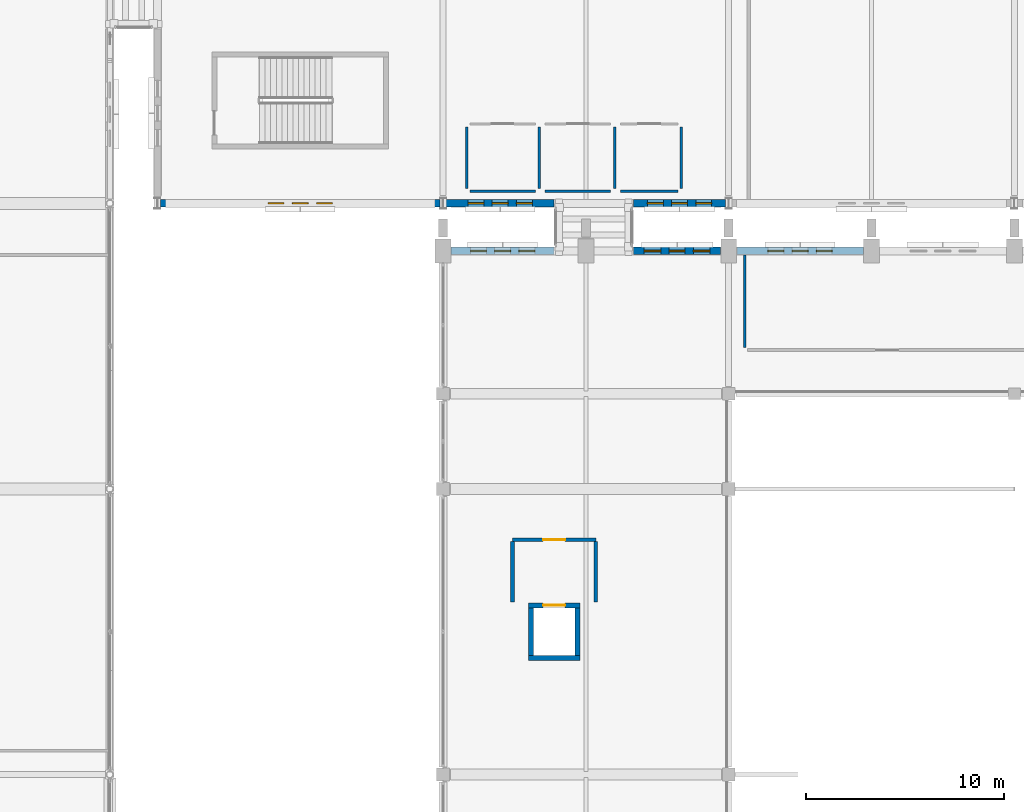
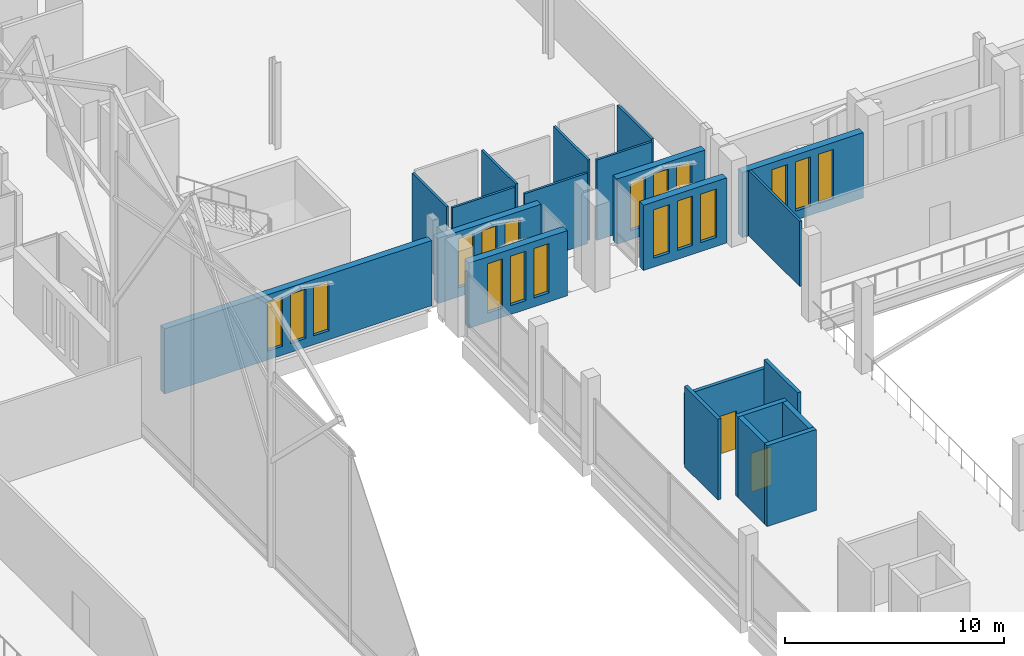
# One storey, part 165 of 220: 21 walls, 18 windows, 2 doors, 20 openings.
"""IFC4 building model written with IfcOpenShell, lengths in metres."""

from ifc_helpers import new_model, si_unit, direction, frame, frame_2d, origin, place, context, subcontext, project, spatial, rectangle, extrude, material, layer, layer_set, type_object, element, fill, save


model = new_model("IFC4")

# Units and contexts
model_context = context("Model", 3, precision=1e-05, world=origin(), true_north=direction((0.0, 1.0)))
body_context = subcontext(model_context, "Body", "Model", "MODEL_VIEW")
ifc_project = project(units=[si_unit("LENGTHUNIT", "METRE"), si_unit("AREAUNIT", "SQUARE_METRE"), si_unit("VOLUMEUNIT", "CUBIC_METRE"), si_unit("PLANEANGLEUNIT", "RADIAN"), si_unit("MASSUNIT", "GRAM", prefix="KILO")], contexts=[model_context])

# Site, building, storey
site_placement = place(None, origin())
site = spatial("IfcSite", under=ifc_project, at=site_placement, CompositionType="ELEMENT")
building_placement = place(site_placement, origin())
building = spatial("IfcBuilding", under=site, at=building_placement, Name="Cendralis Lancet Convention Centre", CompositionType="ELEMENT")
storey_placement = place(building_placement, frame((0.0, 0.0, 5.39990234375)))
storey = spatial("IfcBuildingStorey", under=building, at=storey_placement, Name="L01", CompositionType="ELEMENT", Elevation=5.39990234375)

# Wall, openings, windows
ifc_material_1 = material(Name="Buff sandstone ashlar and Concrete G40 (C40/50)", Category="masonry")
ifc_layer_1 = layer(ifc_material_1, 0.360107421875, Name="Buff sandstone ashlar and Concrete G40 (C40/50)")
ifc_layer_set_1 = layer_set([ifc_layer_1], Name="Buff sandstone ashlar and Concrete G40 (C40/50)")
wall_type_1 = type_object("IfcWallType", Name="ARC-EW-W360", PredefinedType="STANDARD", material=ifc_layer_set_1)
wall_1_placement = place(storey_placement, frame((139.0419921875, 93.60009765625, 0.0), z_axis=(0.0, 0.0, 1.0), x_axis=(-1.0, 0.0, 0.0)))
wall_1 = element("IfcWall", 1, at=wall_1_placement, inside=storey, type_object=wall_type_1, Name="L01 V3 Exterior Wall EW-04 #0149", PredefinedType="STANDARD", context=body_context, shape_type="SweptSolid", body=[
    extrude(rectangle(XDim=14.083984375, YDim=0.360107421875, at=frame_2d((7.0419921875, 0.0))), origin(), (0.0, 0.0, 1.0), 3.635009765625),
])
opening_1_placement = place(wall_1_placement, frame((5.422119140625, 0.0, 0.5)))
opening_1 = element("IfcOpeningElement", 2, at=opening_1_placement, cuts=wall_1, Name="Opening WN-07", PredefinedType="OPENING", context=body_context, shape_type="SweptSolid", body=[
    extrude(rectangle(XDim=0.800048828125, YDim=2.75, at=frame_2d((0.39990234375, 1.375))), frame((0.0, 0.18994140625, 0.0), z_axis=(0.0, -1.0, 0.0), x_axis=(1.0, 0.0, 0.0)), (0.0, 0.0, 1.0), 0.380126953125),
])
opening_2_placement = place(wall_1_placement, frame((6.64208984375, 0.0, 0.5)))
opening_2 = element("IfcOpeningElement", 3, at=opening_2_placement, cuts=wall_1, Name="Opening WN-07", PredefinedType="OPENING", context=body_context, shape_type="SweptSolid", body=[
    extrude(rectangle(XDim=0.800048828125, YDim=2.75, at=frame_2d((0.39990234375, 1.375))), frame((0.0, 0.18994140625, 0.0), z_axis=(0.0, -1.0, 0.0), x_axis=(1.0, 0.0, 0.0)), (0.0, 0.0, 1.0), 0.380126953125),
])
opening_3_placement = place(wall_1_placement, frame((7.862060546875, 0.0, 0.5)))
opening_3 = element("IfcOpeningElement", 4, at=opening_3_placement, cuts=wall_1, Name="Opening WN-07", PredefinedType="OPENING", context=body_context, shape_type="SweptSolid", body=[
    extrude(rectangle(XDim=0.800048828125, YDim=2.75, at=frame_2d((0.39990234375, 1.375))), frame((0.0, 0.18994140625, 0.0), z_axis=(0.0, -1.0, 0.0), x_axis=(1.0, 0.0, 0.0)), (0.0, 0.0, 1.0), 0.380126953125),
])
ifc_material_2 = material(Name="Double-glazed low-E solar-control glass", Category="glass")
window_type_1 = type_object("IfcWindowType", Name="ARC-WN-LW07", PartitioningType="SINGLE_PANEL", PredefinedType="WINDOW", material=ifc_material_2)
window_1_placement = place(opening_1_placement, origin())
window_1 = element("IfcWindow", 5, at=window_1_placement, inside=storey, type_object=window_type_1, Name="Gothic Lancet Window WN-07 #0284", OverallHeight=2.75, OverallWidth=0.800048828125, PartitioningType="SINGLE_PANEL", PredefinedType="WINDOW", context=body_context, shape_type="SweptSolid", body=[
    extrude(rectangle(XDim=0.800048828125, YDim=2.75, at=frame_2d((0.39990234375, 1.375))), frame((0.0, 0.030029296875, 0.0), z_axis=(0.0, -1.0, 0.0), x_axis=(1.0, 0.0, 0.0)), (0.0, 0.0, 1.0), 0.06005859375),
])
fill(opening_1, window_1)
window_2_placement = place(opening_2_placement, origin())
window_2 = element("IfcWindow", 6, at=window_2_placement, inside=storey, type_object=window_type_1, Name="Gothic Lancet Window WN-07 #0285", OverallHeight=2.75, OverallWidth=0.800048828125, PartitioningType="SINGLE_PANEL", PredefinedType="WINDOW", context=body_context, shape_type="SweptSolid", body=[
    extrude(rectangle(XDim=0.800048828125, YDim=2.75, at=frame_2d((0.39990234375, 1.375))), frame((0.0, 0.030029296875, 0.0), z_axis=(0.0, -1.0, 0.0), x_axis=(1.0, 0.0, 0.0)), (0.0, 0.0, 1.0), 0.06005859375),
])
fill(opening_2, window_2)
window_3_placement = place(opening_3_placement, origin())
window_3 = element("IfcWindow", 7, at=window_3_placement, inside=storey, type_object=window_type_1, Name="Gothic Lancet Window WN-07 #0286", OverallHeight=2.75, OverallWidth=0.800048828125, PartitioningType="SINGLE_PANEL", PredefinedType="WINDOW", context=body_context, shape_type="SweptSolid", body=[
    extrude(rectangle(XDim=0.800048828125, YDim=2.75, at=frame_2d((0.39990234375, 1.375))), frame((0.0, 0.030029296875, 0.0), z_axis=(0.0, -1.0, 0.0), x_axis=(1.0, 0.0, 0.0)), (0.0, 0.0, 1.0), 0.06005859375),
])
fill(opening_3, window_3)

wall_2_placement = place(storey_placement, frame((153.44189453125, 93.60009765625, 0.0), z_axis=(0.0, 0.0, 1.0), x_axis=(-1.0, 0.0, 0.0)))
wall_2 = element("IfcWall", 8, at=wall_2_placement, inside=storey, type_object=wall_type_1, Name="L01 V3 Exterior Wall EW-04 #0150", PredefinedType="STANDARD", context=body_context, shape_type="SweptSolid", body=[
    extrude(rectangle(XDim=4.641845703125, YDim=0.360107421875, at=frame_2d((2.32080078125, 0.0))), origin(), (0.0, 0.0, 1.0), 3.635009765625),
])
opening_4_placement = place(wall_2_placement, frame((0.700927734375, 0.0, 0.5)))
opening_4 = element("IfcOpeningElement", 9, at=opening_4_placement, cuts=wall_2, Name="Opening WN-07", PredefinedType="OPENING", context=body_context, shape_type="SweptSolid", body=[
    extrude(rectangle(XDim=0.800048828125, YDim=2.75, at=frame_2d((0.39990234375, 1.375))), frame((0.0, 0.18994140625, 0.0), z_axis=(0.0, -1.0, 0.0), x_axis=(1.0, 0.0, 0.0)), (0.0, 0.0, 1.0), 0.380126953125),
])
opening_5_placement = place(wall_2_placement, frame((1.9208984375, 0.0, 0.5)))
opening_5 = element("IfcOpeningElement", 10, at=opening_5_placement, cuts=wall_2, Name="Opening WN-07", PredefinedType="OPENING", context=body_context, shape_type="SweptSolid", body=[
    extrude(rectangle(XDim=0.800048828125, YDim=2.75, at=frame_2d((0.39990234375, 1.375))), frame((0.0, 0.18994140625, 0.0), z_axis=(0.0, -1.0, 0.0), x_axis=(1.0, 0.0, 0.0)), (0.0, 0.0, 1.0), 0.380126953125),
])
opening_6_placement = place(wall_2_placement, frame((3.14111328125, 0.0, 0.5)))
opening_6 = element("IfcOpeningElement", 11, at=opening_6_placement, cuts=wall_2, Name="Opening WN-07", PredefinedType="OPENING", context=body_context, shape_type="SweptSolid", body=[
    extrude(rectangle(XDim=0.800048828125, YDim=2.75, at=frame_2d((0.39990234375, 1.375))), frame((0.0, 0.18994140625, 0.0), z_axis=(0.0, -1.0, 0.0), x_axis=(1.0, 0.0, 0.0)), (0.0, 0.0, 1.0), 0.380126953125),
])
window_4_placement = place(opening_4_placement, origin())
window_4 = element("IfcWindow", 12, at=window_4_placement, inside=storey, type_object=window_type_1, Name="Gothic Lancet Window WN-07 #0287", OverallHeight=2.75, OverallWidth=0.800048828125, PartitioningType="SINGLE_PANEL", PredefinedType="WINDOW", context=body_context, shape_type="SweptSolid", body=[
    extrude(rectangle(XDim=0.800048828125, YDim=2.75, at=frame_2d((0.39990234375, 1.375))), frame((0.0, 0.030029296875, 0.0), z_axis=(0.0, -1.0, 0.0), x_axis=(1.0, 0.0, 0.0)), (0.0, 0.0, 1.0), 0.06005859375),
])
fill(opening_4, window_4)
window_5_placement = place(opening_5_placement, origin())
window_5 = element("IfcWindow", 13, at=window_5_placement, inside=storey, type_object=window_type_1, Name="Gothic Lancet Window WN-07 #0288", OverallHeight=2.75, OverallWidth=0.800048828125, PartitioningType="SINGLE_PANEL", PredefinedType="WINDOW", context=body_context, shape_type="SweptSolid", body=[
    extrude(rectangle(XDim=0.800048828125, YDim=2.75, at=frame_2d((0.39990234375, 1.375))), frame((0.0, 0.030029296875, 0.0), z_axis=(0.0, -1.0, 0.0), x_axis=(1.0, 0.0, 0.0)), (0.0, 0.0, 1.0), 0.06005859375),
])
fill(opening_5, window_5)
window_6_placement = place(opening_6_placement, origin())
window_6 = element("IfcWindow", 14, at=window_6_placement, inside=storey, type_object=window_type_1, Name="Gothic Lancet Window WN-07 #0289", OverallHeight=2.75, OverallWidth=0.800048828125, PartitioningType="SINGLE_PANEL", PredefinedType="WINDOW", context=body_context, shape_type="SweptSolid", body=[
    extrude(rectangle(XDim=0.800048828125, YDim=2.75, at=frame_2d((0.39990234375, 1.375))), frame((0.0, 0.030029296875, 0.0), z_axis=(0.0, -1.0, 0.0), x_axis=(1.0, 0.0, 0.0)), (0.0, 0.0, 1.0), 0.06005859375),
])
fill(opening_6, window_6)

wall_3_placement = place(storey_placement, frame((144.800048828125, 93.60009765625, 0.0), z_axis=(0.0, 0.0, 1.0), x_axis=(-1.0, 0.0, 0.0)))
wall_3 = element("IfcWall", 15, at=wall_3_placement, inside=storey, type_object=wall_type_1, Name="L01 V3 Exterior Wall EW-04 #0151", PredefinedType="STANDARD", context=body_context, shape_type="SweptSolid", body=[
    extrude(rectangle(XDim=5.442138671875, YDim=0.360107421875, at=frame_2d((2.72119140625, 0.0))), origin(), (0.0, 0.0, 1.0), 3.635009765625),
])
opening_7_placement = place(wall_3_placement, frame((1.10107421875, 0.0, 0.5)))
opening_7 = element("IfcOpeningElement", 16, at=opening_7_placement, cuts=wall_3, Name="Opening WN-07", PredefinedType="OPENING", context=body_context, shape_type="SweptSolid", body=[
    extrude(rectangle(XDim=0.800048828125, YDim=2.75, at=frame_2d((0.39990234375, 1.375))), frame((0.0, 0.18994140625, 0.0), z_axis=(0.0, -1.0, 0.0), x_axis=(1.0, 0.0, 0.0)), (0.0, 0.0, 1.0), 0.380126953125),
])
opening_8_placement = place(wall_3_placement, frame((2.321044921875, 0.0, 0.5)))
opening_8 = element("IfcOpeningElement", 17, at=opening_8_placement, cuts=wall_3, Name="Opening WN-07", PredefinedType="OPENING", context=body_context, shape_type="SweptSolid", body=[
    extrude(rectangle(XDim=0.800048828125, YDim=2.75, at=frame_2d((0.39990234375, 1.375))), frame((0.0, 0.18994140625, 0.0), z_axis=(0.0, -1.0, 0.0), x_axis=(1.0, 0.0, 0.0)), (0.0, 0.0, 1.0), 0.380126953125),
])
opening_9_placement = place(wall_3_placement, frame((3.541015625, 0.0, 0.5)))
opening_9 = element("IfcOpeningElement", 18, at=opening_9_placement, cuts=wall_3, Name="Opening WN-07", PredefinedType="OPENING", context=body_context, shape_type="SweptSolid", body=[
    extrude(rectangle(XDim=0.800048828125, YDim=2.75, at=frame_2d((0.39990234375, 1.375))), frame((0.0, 0.18994140625, 0.0), z_axis=(0.0, -1.0, 0.0), x_axis=(1.0, 0.0, 0.0)), (0.0, 0.0, 1.0), 0.380126953125),
])
window_7_placement = place(opening_7_placement, origin())
window_7 = element("IfcWindow", 19, at=window_7_placement, inside=storey, type_object=window_type_1, Name="Gothic Lancet Window WN-07 #0290", OverallHeight=2.75, OverallWidth=0.800048828125, PartitioningType="SINGLE_PANEL", PredefinedType="WINDOW", context=body_context, shape_type="SweptSolid", body=[
    extrude(rectangle(XDim=0.800048828125, YDim=2.75, at=frame_2d((0.39990234375, 1.375))), frame((0.0, 0.030029296875, 0.0), z_axis=(0.0, -1.0, 0.0), x_axis=(1.0, 0.0, 0.0)), (0.0, 0.0, 1.0), 0.06005859375),
])
fill(opening_7, window_7)
window_8_placement = place(opening_8_placement, origin())
window_8 = element("IfcWindow", 20, at=window_8_placement, inside=storey, type_object=window_type_1, Name="Gothic Lancet Window WN-07 #0291", OverallHeight=2.75, OverallWidth=0.800048828125, PartitioningType="SINGLE_PANEL", PredefinedType="WINDOW", context=body_context, shape_type="SweptSolid", body=[
    extrude(rectangle(XDim=0.800048828125, YDim=2.75, at=frame_2d((0.39990234375, 1.375))), frame((0.0, 0.030029296875, 0.0), z_axis=(0.0, -1.0, 0.0), x_axis=(1.0, 0.0, 0.0)), (0.0, 0.0, 1.0), 0.06005859375),
])
fill(opening_8, window_8)
window_9_placement = place(opening_9_placement, origin())
window_9 = element("IfcWindow", 21, at=window_9_placement, inside=storey, type_object=window_type_1, Name="Gothic Lancet Window WN-07 #0292", OverallHeight=2.75, OverallWidth=0.800048828125, PartitioningType="SINGLE_PANEL", PredefinedType="WINDOW", context=body_context, shape_type="SweptSolid", body=[
    extrude(rectangle(XDim=0.800048828125, YDim=2.75, at=frame_2d((0.39990234375, 1.375))), frame((0.0, 0.030029296875, 0.0), z_axis=(0.0, -1.0, 0.0), x_axis=(1.0, 0.0, 0.0)), (0.0, 0.0, 1.0), 0.06005859375),
])
fill(opening_9, window_9)

ifc_layer_2 = layer(ifc_material_1, 0.3798828125, Name="Buff sandstone ashlar and Concrete G40 (C40/50)")
ifc_layer_set_2 = layer_set([ifc_layer_2], Name="Buff sandstone ashlar and Concrete G40 (C40/50)")
wall_type_2 = type_object("IfcWallType", Name="ARC-EW-W380", PredefinedType="STANDARD", material=ifc_layer_set_2)
wall_4_placement = place(storey_placement, frame((139.60791015625, 91.199951171875, 0.0), z_axis=(0.0, 0.0, 1.0), x_axis=(1.0, 0.0, 0.0)))
wall_4 = element("IfcWall", 22, at=wall_4_placement, inside=storey, type_object=wall_type_2, Name="L01 V2 Exterior Wall EW-03 #0099", PredefinedType="STANDARD", context=body_context, shape_type="SweptSolid", body=[
    extrude(rectangle(XDim=5.192138671875, YDim=0.3798828125, at=frame_2d((2.59619140625, 0.0))), origin(), (0.0, 0.0, 1.0), 3.635009765625),
])
opening_10_placement = place(wall_4_placement, frame((0.97607421875, 0.0, 0.5)))
opening_10 = element("IfcOpeningElement", 23, at=opening_10_placement, cuts=wall_4, Name="Opening WN-07", PredefinedType="OPENING", context=body_context, shape_type="SweptSolid", body=[
    extrude(rectangle(XDim=0.800048828125, YDim=2.75, at=frame_2d((0.39990234375, 1.375))), frame((0.0, 0.199951171875, 0.0), z_axis=(0.0, -1.0, 0.0), x_axis=(1.0, 0.0, 0.0)), (0.0, 0.0, 1.0), 0.39990234375),
])
opening_11_placement = place(wall_4_placement, frame((2.196044921875, 0.0, 0.5)))
opening_11 = element("IfcOpeningElement", 24, at=opening_11_placement, cuts=wall_4, Name="Opening WN-07", PredefinedType="OPENING", context=body_context, shape_type="SweptSolid", body=[
    extrude(rectangle(XDim=0.800048828125, YDim=2.75, at=frame_2d((0.39990234375, 1.375))), frame((0.0, 0.199951171875, 0.0), z_axis=(0.0, -1.0, 0.0), x_axis=(1.0, 0.0, 0.0)), (0.0, 0.0, 1.0), 0.39990234375),
])
opening_12_placement = place(wall_4_placement, frame((3.416015625, 0.0, 0.5)))
opening_12 = element("IfcOpeningElement", 25, at=opening_12_placement, cuts=wall_4, Name="Opening WN-07", PredefinedType="OPENING", context=body_context, shape_type="SweptSolid", body=[
    extrude(rectangle(XDim=0.800048828125, YDim=2.75, at=frame_2d((0.39990234375, 1.375))), frame((0.0, 0.199951171875, 0.0), z_axis=(0.0, -1.0, 0.0), x_axis=(1.0, 0.0, 0.0)), (0.0, 0.0, 1.0), 0.39990234375),
])
window_10_placement = place(opening_10_placement, origin())
window_10 = element("IfcWindow", 26, at=window_10_placement, inside=storey, type_object=window_type_1, Name="Gothic Lancet Window WN-07 #0174", OverallHeight=2.75, OverallWidth=0.800048828125, PartitioningType="SINGLE_PANEL", PredefinedType="WINDOW", context=body_context, shape_type="SweptSolid", body=[
    extrude(rectangle(XDim=0.800048828125, YDim=2.75, at=frame_2d((0.39990234375, 1.375))), frame((0.0, 0.030029296875, 0.0), z_axis=(0.0, -1.0, 0.0), x_axis=(1.0, 0.0, 0.0)), (0.0, 0.0, 1.0), 0.06005859375),
])
fill(opening_10, window_10)
window_11_placement = place(opening_11_placement, origin())
window_11 = element("IfcWindow", 27, at=window_11_placement, inside=storey, type_object=window_type_1, Name="Gothic Lancet Window WN-07 #0175", OverallHeight=2.75, OverallWidth=0.800048828125, PartitioningType="SINGLE_PANEL", PredefinedType="WINDOW", context=body_context, shape_type="SweptSolid", body=[
    extrude(rectangle(XDim=0.800048828125, YDim=2.75, at=frame_2d((0.39990234375, 1.375))), frame((0.0, 0.030029296875, 0.0), z_axis=(0.0, -1.0, 0.0), x_axis=(1.0, 0.0, 0.0)), (0.0, 0.0, 1.0), 0.06005859375),
])
fill(opening_11, window_11)
window_12_placement = place(opening_12_placement, origin())
window_12 = element("IfcWindow", 28, at=window_12_placement, inside=storey, type_object=window_type_1, Name="Gothic Lancet Window WN-07 #0176", OverallHeight=2.75, OverallWidth=0.800048828125, PartitioningType="SINGLE_PANEL", PredefinedType="WINDOW", context=body_context, shape_type="SweptSolid", body=[
    extrude(rectangle(XDim=0.800048828125, YDim=2.75, at=frame_2d((0.39990234375, 1.375))), frame((0.0, 0.030029296875, 0.0), z_axis=(0.0, -1.0, 0.0), x_axis=(1.0, 0.0, 0.0)), (0.0, 0.0, 1.0), 0.06005859375),
])
fill(opening_12, window_12)

wall_5_placement = place(storey_placement, frame((148.800048828125, 91.199951171875, 0.0), z_axis=(0.0, 0.0, 1.0), x_axis=(1.0, 0.0, 0.0)))
wall_5 = element("IfcWall", 29, at=wall_5_placement, inside=storey, type_object=wall_type_2, Name="L01 V2 Exterior Wall EW-03 #0100", PredefinedType="STANDARD", context=body_context, shape_type="SweptSolid", body=[
    extrude(rectangle(XDim=4.391845703125, YDim=0.3798828125, at=frame_2d((2.19580078125, 0.0))), origin(), (0.0, 0.0, 1.0), 3.635009765625),
])
opening_13_placement = place(wall_5_placement, frame((0.535888671875, 0.0, 0.5)))
opening_13 = element("IfcOpeningElement", 30, at=opening_13_placement, cuts=wall_5, Name="Opening WN-15", PredefinedType="OPENING", context=body_context, shape_type="SweptSolid", body=[
    extrude(rectangle(XDim=0.840087890625, YDim=2.699951171875, at=frame_2d((0.419921875, 1.35009765625))), frame((0.0, 0.199951171875, 0.0), z_axis=(0.0, -1.0, 0.0), x_axis=(1.0, 0.0, 0.0)), (0.0, 0.0, 1.0), 0.39990234375),
])
opening_14_placement = place(wall_5_placement, frame((1.7958984375, 0.0, 0.5)))
opening_14 = element("IfcOpeningElement", 31, at=opening_14_placement, cuts=wall_5, Name="Opening WN-07", PredefinedType="OPENING", context=body_context, shape_type="SweptSolid", body=[
    extrude(rectangle(XDim=0.800048828125, YDim=2.75, at=frame_2d((0.39990234375, 1.375))), frame((0.0, 0.199951171875, 0.0), z_axis=(0.0, -1.0, 0.0), x_axis=(1.0, 0.0, 0.0)), (0.0, 0.0, 1.0), 0.39990234375),
])
opening_15_placement = place(wall_5_placement, frame((3.01611328125, 0.0, 0.5)))
opening_15 = element("IfcOpeningElement", 32, at=opening_15_placement, cuts=wall_5, Name="Opening WN-15", PredefinedType="OPENING", context=body_context, shape_type="SweptSolid", body=[
    extrude(rectangle(XDim=0.840087890625, YDim=2.699951171875, at=frame_2d((0.419921875, 1.35009765625))), frame((0.0, 0.199951171875, 0.0), z_axis=(0.0, -1.0, 0.0), x_axis=(1.0, 0.0, 0.0)), (0.0, 0.0, 1.0), 0.39990234375),
])
window_13_placement = place(opening_14_placement, origin())
window_13 = element("IfcWindow", 33, at=window_13_placement, inside=storey, type_object=window_type_1, Name="Gothic Lancet Window WN-07 #0178", OverallHeight=2.75, OverallWidth=0.800048828125, PartitioningType="SINGLE_PANEL", PredefinedType="WINDOW", context=body_context, shape_type="SweptSolid", body=[
    extrude(rectangle(XDim=0.800048828125, YDim=2.75, at=frame_2d((0.39990234375, 1.375))), frame((0.0, 0.030029296875, 0.0), z_axis=(0.0, -1.0, 0.0), x_axis=(1.0, 0.0, 0.0)), (0.0, 0.0, 1.0), 0.06005859375),
])
fill(opening_14, window_13)
window_type_2 = type_object("IfcWindowType", Name="ARC-WN-LW15", PartitioningType="SINGLE_PANEL", PredefinedType="WINDOW", material=ifc_material_2)
window_14_placement = place(opening_13_placement, origin())
window_14 = element("IfcWindow", 34, at=window_14_placement, inside=storey, type_object=window_type_2, Name="Gothic Lancet Window WN-15 #0177", OverallHeight=2.699951171875, OverallWidth=0.840087890625, PartitioningType="SINGLE_PANEL", PredefinedType="WINDOW", context=body_context, shape_type="SweptSolid", body=[
    extrude(rectangle(XDim=0.840087890625, YDim=2.699951171875, at=frame_2d((0.419921875, 1.35009765625))), frame((0.0, 0.030029296875, 0.0), z_axis=(0.0, -1.0, 0.0), x_axis=(1.0, 0.0, 0.0)), (0.0, 0.0, 1.0), 0.06005859375),
])
fill(opening_13, window_14)
window_15_placement = place(opening_15_placement, origin())
window_15 = element("IfcWindow", 35, at=window_15_placement, inside=storey, type_object=window_type_2, Name="Gothic Lancet Window WN-15 #0179", OverallHeight=2.699951171875, OverallWidth=0.840087890625, PartitioningType="SINGLE_PANEL", PredefinedType="WINDOW", context=body_context, shape_type="SweptSolid", body=[
    extrude(rectangle(XDim=0.840087890625, YDim=2.699951171875, at=frame_2d((0.419921875, 1.35009765625))), frame((0.0, 0.030029296875, 0.0), z_axis=(0.0, -1.0, 0.0), x_axis=(1.0, 0.0, 0.0)), (0.0, 0.0, 1.0), 0.06005859375),
])
fill(opening_15, window_15)

wall_6_placement = place(storey_placement, frame((154.008056640625, 91.199951171875, 0.0), z_axis=(0.0, 0.0, 1.0), x_axis=(1.0, 0.0, 0.0)))
wall_6 = element("IfcWall", 36, at=wall_6_placement, inside=storey, type_object=wall_type_2, Name="L01 V2 Exterior Wall EW-03 #0101", PredefinedType="STANDARD", context=body_context, shape_type="SweptSolid", body=[
    extrude(rectangle(XDim=6.384033203125, YDim=0.3798828125, at=frame_2d((3.19189453125, 0.0))), origin(), (0.0, 0.0, 1.0), 3.635009765625),
])
opening_16_placement = place(wall_6_placement, frame((1.572021484375, 0.0, 0.5)))
opening_16 = element("IfcOpeningElement", 37, at=opening_16_placement, cuts=wall_6, Name="Opening WN-07", PredefinedType="OPENING", context=body_context, shape_type="SweptSolid", body=[
    extrude(rectangle(XDim=0.800048828125, YDim=2.75, at=frame_2d((0.39990234375, 1.375))), frame((0.0, 0.199951171875, 0.0), z_axis=(0.0, -1.0, 0.0), x_axis=(1.0, 0.0, 0.0)), (0.0, 0.0, 1.0), 0.39990234375),
])
opening_17_placement = place(wall_6_placement, frame((2.7919921875, 0.0, 0.5)))
opening_17 = element("IfcOpeningElement", 38, at=opening_17_placement, cuts=wall_6, Name="Opening WN-07", PredefinedType="OPENING", context=body_context, shape_type="SweptSolid", body=[
    extrude(rectangle(XDim=0.800048828125, YDim=2.75, at=frame_2d((0.39990234375, 1.375))), frame((0.0, 0.199951171875, 0.0), z_axis=(0.0, -1.0, 0.0), x_axis=(1.0, 0.0, 0.0)), (0.0, 0.0, 1.0), 0.39990234375),
])
opening_18_placement = place(wall_6_placement, frame((4.011962890625, 0.0, 0.5)))
opening_18 = element("IfcOpeningElement", 39, at=opening_18_placement, cuts=wall_6, Name="Opening WN-07", PredefinedType="OPENING", context=body_context, shape_type="SweptSolid", body=[
    extrude(rectangle(XDim=0.800048828125, YDim=2.75, at=frame_2d((0.39990234375, 1.375))), frame((0.0, 0.199951171875, 0.0), z_axis=(0.0, -1.0, 0.0), x_axis=(1.0, 0.0, 0.0)), (0.0, 0.0, 1.0), 0.39990234375),
])
window_16_placement = place(opening_16_placement, origin())
window_16 = element("IfcWindow", 40, at=window_16_placement, inside=storey, type_object=window_type_1, Name="Gothic Lancet Window WN-07 #0180", OverallHeight=2.75, OverallWidth=0.800048828125, PartitioningType="SINGLE_PANEL", PredefinedType="WINDOW", context=body_context, shape_type="SweptSolid", body=[
    extrude(rectangle(XDim=0.800048828125, YDim=2.75, at=frame_2d((0.39990234375, 1.375))), frame((0.0, 0.030029296875, 0.0), z_axis=(0.0, -1.0, 0.0), x_axis=(1.0, 0.0, 0.0)), (0.0, 0.0, 1.0), 0.06005859375),
])
fill(opening_16, window_16)
window_17_placement = place(opening_17_placement, origin())
window_17 = element("IfcWindow", 41, at=window_17_placement, inside=storey, type_object=window_type_1, Name="Gothic Lancet Window WN-07 #0181", OverallHeight=2.75, OverallWidth=0.800048828125, PartitioningType="SINGLE_PANEL", PredefinedType="WINDOW", context=body_context, shape_type="SweptSolid", body=[
    extrude(rectangle(XDim=0.800048828125, YDim=2.75, at=frame_2d((0.39990234375, 1.375))), frame((0.0, 0.030029296875, 0.0), z_axis=(0.0, -1.0, 0.0), x_axis=(1.0, 0.0, 0.0)), (0.0, 0.0, 1.0), 0.06005859375),
])
fill(opening_17, window_17)
window_18_placement = place(opening_18_placement, origin())
window_18 = element("IfcWindow", 42, at=window_18_placement, inside=storey, type_object=window_type_1, Name="Gothic Lancet Window WN-07 #0182", OverallHeight=2.75, OverallWidth=0.800048828125, PartitioningType="SINGLE_PANEL", PredefinedType="WINDOW", context=body_context, shape_type="SweptSolid", body=[
    extrude(rectangle(XDim=0.800048828125, YDim=2.75, at=frame_2d((0.39990234375, 1.375))), frame((0.0, 0.030029296875, 0.0), z_axis=(0.0, -1.0, 0.0), x_axis=(1.0, 0.0, 0.0)), (0.0, 0.0, 1.0), 0.06005859375),
])
fill(opening_18, window_18)

# Walls
ifc_material_3 = material(Name="Acoustic fire-rated gypsum board on steel studs", Category="steel")
ifc_layer_3 = layer(ifc_material_3, 0.1201171875, Name="Acoustic fire-rated gypsum board on steel studs")
ifc_layer_set_3 = layer_set([ifc_layer_3], Name="Acoustic fire-rated gypsum board on steel studs")
wall_type_3 = type_object("IfcWallType", Name="ARC-IW-P120", PredefinedType="PARTITIONING", material=ifc_layer_set_3)
wall_7_placement = place(storey_placement, frame((154.39990234375, 86.340087890625, 0.0), z_axis=(0.0, 0.0, 1.0), x_axis=(0.0, 1.0, 0.0)))
element("IfcWall", 43, at=wall_7_placement, inside=storey, type_object=wall_type_3, Name="L01 Interior Partition IW-05 #0083", PredefinedType="PARTITIONING", context=body_context, shape_type="SweptSolid", body=[
    extrude(rectangle(XDim=4.659912109375, YDim=0.1201171875, at=frame_2d((2.330078125, 0.0))), origin(), (0.0, 0.0, 1.0), 3.635009765625),
])
wall_8_placement = place(storey_placement, frame((140.550048828125, 94.199951171875, 0.0), z_axis=(0.0, 0.0, 1.0), x_axis=(1.0, 0.0, 0.0)))
element("IfcWall", 44, at=wall_8_placement, inside=storey, type_object=wall_type_3, Name="L01 Interior Partition IW-05 #0169", PredefinedType="PARTITIONING", context=body_context, shape_type="SweptSolid", body=[
    extrude(rectangle(XDim=3.300048828125, YDim=0.1201171875, at=frame_2d((1.64990234375, 0.0))), origin(), (0.0, 0.0, 1.0), 4.485107421875),
])
for number, where, z_axis, x_axis, name in (
    (45, (140.39990234375, 94.340087890625, 0.0), (0.0, 0.0, 1.0), (0.0, 1.0, 0.0), "L01 Interior Partition IW-05 #0170"),
    (46, (144.050048828125, 94.340087890625, 0.0), (0.0, 0.0, 1.0), (0.0, 1.0, 0.0), "L01 Interior Partition IW-05 #0171"),
):
    element("IfcWall", number, at=place(storey_placement, frame(where, z_axis=z_axis, x_axis=x_axis)), inside=storey, type_object=wall_type_3, Name=name, PredefinedType="PARTITIONING", context=body_context, shape_type="SweptSolid", body=[
        extrude(rectangle(XDim=3.119873046875, YDim=0.1201171875, at=frame_2d((1.56005859375, 0.0))), origin(), (0.0, 0.0, 1.0), 4.485107421875),
    ])
wall_9_placement = place(storey_placement, frame((144.35009765625, 94.199951171875, 0.0), z_axis=(0.0, 0.0, 1.0), x_axis=(1.0, 0.0, 0.0)))
element("IfcWall", 47, at=wall_9_placement, inside=storey, type_object=wall_type_3, Name="L01 Interior Partition IW-05 #0173", PredefinedType="PARTITIONING", context=body_context, shape_type="SweptSolid", body=[
    extrude(rectangle(XDim=3.2998046875, YDim=0.1201171875, at=frame_2d((1.64990234375, 0.0))), origin(), (0.0, 0.0, 1.0), 3.93505859375),
])
wall_10_placement = place(storey_placement, frame((147.85009765625, 94.340087890625, 0.0), z_axis=(0.0, 0.0, 1.0), x_axis=(0.0, 1.0, 0.0)))
element("IfcWall", 48, at=wall_10_placement, inside=storey, type_object=wall_type_3, Name="L01 Interior Partition IW-05 #0174", PredefinedType="PARTITIONING", context=body_context, shape_type="SweptSolid", body=[
    extrude(rectangle(XDim=3.119873046875, YDim=0.1201171875, at=frame_2d((1.56005859375, 0.0))), origin(), (0.0, 0.0, 1.0), 4.485107421875),
])
wall_11_placement = place(storey_placement, frame((148.14990234375, 94.199951171875, 0.0), z_axis=(0.0, 0.0, 1.0), x_axis=(1.0, 0.0, 0.0)))
element("IfcWall", 49, at=wall_11_placement, inside=storey, type_object=wall_type_3, Name="L01 Interior Partition IW-05 #0176", PredefinedType="PARTITIONING", context=body_context, shape_type="SweptSolid", body=[
    extrude(rectangle(XDim=2.900146484375, YDim=0.1201171875, at=frame_2d((1.4501953125, 0.0))), origin(), (0.0, 0.0, 1.0), 4.485107421875),
])
wall_12_placement = place(storey_placement, frame((151.199951171875, 94.340087890625, 0.0), z_axis=(0.0, 0.0, 1.0), x_axis=(0.0, 1.0, 0.0)))
element("IfcWall", 50, at=wall_12_placement, inside=storey, type_object=wall_type_3, Name="L01 Interior Partition IW-05 #0177", PredefinedType="PARTITIONING", context=body_context, shape_type="SweptSolid", body=[
    extrude(rectangle(XDim=3.119873046875, YDim=0.1201171875, at=frame_2d((1.56005859375, 0.0))), origin(), (0.0, 0.0, 1.0), 4.485107421875),
])

# Wall, opening, door
ifc_layer_4 = layer(ifc_material_3, 0.179931640625, Name="Acoustic fire-rated gypsum board on steel studs")
ifc_layer_set_4 = layer_set([ifc_layer_4], Name="Acoustic fire-rated gypsum board on steel studs")
wall_type_4 = type_object("IfcWallType", Name="ARC-IW-P180", PredefinedType="PARTITIONING", material=ifc_layer_set_4)
wall_13_placement = place(storey_placement, frame((142.699951171875, 76.64990234375, 0.0), z_axis=(0.0, 0.0, 1.0), x_axis=(1.0, 0.0, 0.0)))
wall_13 = element("IfcWall", 51, at=wall_13_placement, inside=storey, type_object=wall_type_4, Name="L01 Lift Lobby LP-06 Front Wall", PredefinedType="PARTITIONING", context=body_context, shape_type="SweptSolid", body=[
    extrude(rectangle(XDim=4.199951171875, YDim=0.179931640625, at=frame_2d((2.10009765625, 0.0))), origin(), (0.0, 0.0, 1.0), 3.985107421875),
])
opening_19_placement = place(wall_13_placement, frame((1.550048828125, 0.0, 0.0)))
opening_19 = element("IfcOpeningElement", 52, at=opening_19_placement, cuts=wall_13, Name="Opening FD-11", PredefinedType="OPENING", context=body_context, shape_type="SweptSolid", body=[
    extrude(rectangle(XDim=1.10009765625, YDim=2.14990234375, at=frame_2d((0.550048828125, 1.074951171875))), frame((0.0, 0.099853515625, 0.0), z_axis=(0.0, -1.0, 0.0), x_axis=(1.0, 0.0, 0.0)), (0.0, 0.0, 1.0), 0.199951171875),
])
ifc_material_4 = material(Name="Steel S355", Category="steel")
door_type_1 = type_object("IfcDoorType", Name="ARC-DR-FF11", OperationType="NOTDEFINED", PredefinedType="DOOR", material=ifc_material_4)
door_1_placement = place(opening_19_placement, origin())
door_1 = element("IfcDoor", 53, at=door_1_placement, inside=storey, type_object=door_type_1, Name="L01-D065 L01 Lift Lobby LP-06 Fire Door", OperationType="SINGLE_SWING_LEFT", OverallHeight=2.14990234375, OverallWidth=1.10009765625, PredefinedType="DOOR", context=body_context, shape_type="SweptSolid", body=[
    extrude(rectangle(XDim=1.10009765625, YDim=2.14990234375, at=frame_2d((0.550048828125, 1.074951171875))), frame((0.0, 0.02490234375, 0.0), z_axis=(0.0, -1.0, 0.0), x_axis=(1.0, 0.0, 0.0)), (0.0, 0.0, 1.0), 0.050048828125),
])
fill(opening_19, door_1)

# Walls
for number, where, z_axis, x_axis, name in (
    (54, (142.699951171875, 73.5, 0.0), (0.0, 0.0, 1.0), (0.0, 1.0, 0.0), "L01 Lift Lobby LP-06 West Wall"),
    (55, (146.89990234375, 73.5, 0.0), (0.0, 0.0, 1.0), (0.0, 1.0, 0.0), "L01 Lift Lobby LP-06 East Wall"),
):
    element("IfcWall", number, at=place(storey_placement, frame(where, z_axis=z_axis, x_axis=x_axis)), inside=storey, type_object=wall_type_4, Name=name, PredefinedType="PARTITIONING", context=body_context, shape_type="SweptSolid", body=[
        extrude(rectangle(XDim=3.050048828125, YDim=0.179931640625, at=frame_2d((1.52490234375, 0.0))), origin(), (0.0, 0.0, 1.0), 4.5),
    ])
ifc_material_5 = material(Name="Concrete G40 (C40/50)", Category="concrete")
ifc_layer_5 = layer(ifc_material_5, 0.25, Name="Concrete G40 (C40/50)")
ifc_layer_set_5 = layer_set([ifc_layer_5], Name="Concrete G40 (C40/50)")
wall_type_5 = type_object("IfcWallType", Name="STR-SW-CW250", PredefinedType="SHEAR", material=ifc_layer_set_5)
wall_14_placement = place(storey_placement, frame((143.5, 70.675048828125, 0.0), z_axis=(0.0, 0.0, 1.0), x_axis=(1.0, 0.0, 0.0)))
element("IfcWall", 56, at=wall_14_placement, inside=storey, type_object=wall_type_5, Name="L01 Lift LP-06 South Shaft Wall", PredefinedType="SHEAR", context=body_context, shape_type="SweptSolid", body=[
    extrude(rectangle(XDim=2.60009765625, YDim=0.25, at=frame_2d((1.300048828125, 0.0))), origin(), (0.0, 0.0, 1.0), 4.5),
])

# Wall, opening, door
wall_15_placement = place(storey_placement, frame((143.5, 73.324951171875, 0.0), z_axis=(0.0, 0.0, 1.0), x_axis=(1.0, 0.0, 0.0)))
wall_15 = element("IfcWall", 57, at=wall_15_placement, inside=storey, type_object=wall_type_5, Name="L01 Lift LP-06 North Shaft Wall", PredefinedType="SHEAR", context=body_context, shape_type="SweptSolid", body=[
    extrude(rectangle(XDim=2.60009765625, YDim=0.25, at=frame_2d((1.300048828125, 0.0))), origin(), (0.0, 0.0, 1.0), 4.5),
])
opening_20_placement = place(wall_15_placement, frame((0.75, 0.0, 0.0)))
opening_20 = element("IfcOpeningElement", 58, at=opening_20_placement, cuts=wall_15, Name="Opening LD-11", PredefinedType="OPENING", context=body_context, shape_type="SweptSolid", body=[
    extrude(rectangle(XDim=1.10009765625, YDim=2.14990234375, at=frame_2d((0.550048828125, 1.074951171875))), frame((0.0, 0.135009765625, 0.0), z_axis=(0.0, -1.0, 0.0), x_axis=(1.0, 0.0, 0.0)), (0.0, 0.0, 1.0), 0.27001953125),
])
ifc_material_6 = material(Name="Anodised bronze architectural aluminium", Category="aluminium")
door_type_2 = type_object("IfcDoorType", Name="ARC-DR-LD11", OperationType="NOTDEFINED", PredefinedType="DOOR", material=ifc_material_6)
door_2_placement = place(opening_20_placement, origin())
door_2 = element("IfcDoor", 59, at=door_2_placement, inside=storey, type_object=door_type_2, Name="L01-D051 L01 Lift LP-06 Sliding Landing Door", OperationType="SLIDING_TO_RIGHT", OverallHeight=2.14990234375, OverallWidth=1.10009765625, PredefinedType="DOOR", context=body_context, shape_type="SweptSolid", body=[
    extrude(rectangle(XDim=1.10009765625, YDim=2.14990234375, at=frame_2d((0.550048828125, 1.074951171875))), frame((0.0, 0.02490234375, 0.0), z_axis=(0.0, -1.0, 0.0), x_axis=(1.0, 0.0, 0.0)), (0.0, 0.0, 1.0), 0.050048828125),
])
fill(opening_20, door_2)

# Walls
for number, where, z_axis, x_axis, name in (
    (60, (143.625, 70.800048828125, 0.0), (0.0, 0.0, 1.0), (0.0, 1.0, 0.0), "L01 Lift LP-06 West Shaft Wall"),
    (61, (145.97509765625, 70.800048828125, 0.0), (0.0, 0.0, 1.0), (0.0, 1.0, 0.0), "L01 Lift LP-06 East Shaft Wall"),
):
    element("IfcWall", number, at=place(storey_placement, frame(where, z_axis=z_axis, x_axis=x_axis)), inside=storey, type_object=wall_type_5, Name=name, PredefinedType="SHEAR", context=body_context, shape_type="SweptSolid", body=[
        extrude(rectangle(XDim=2.39990234375, YDim=0.25, at=frame_2d((1.199951171875, 0.0))), origin(), (0.0, 0.0, 1.0), 4.5),
    ])

save(model, "model.ifc")
